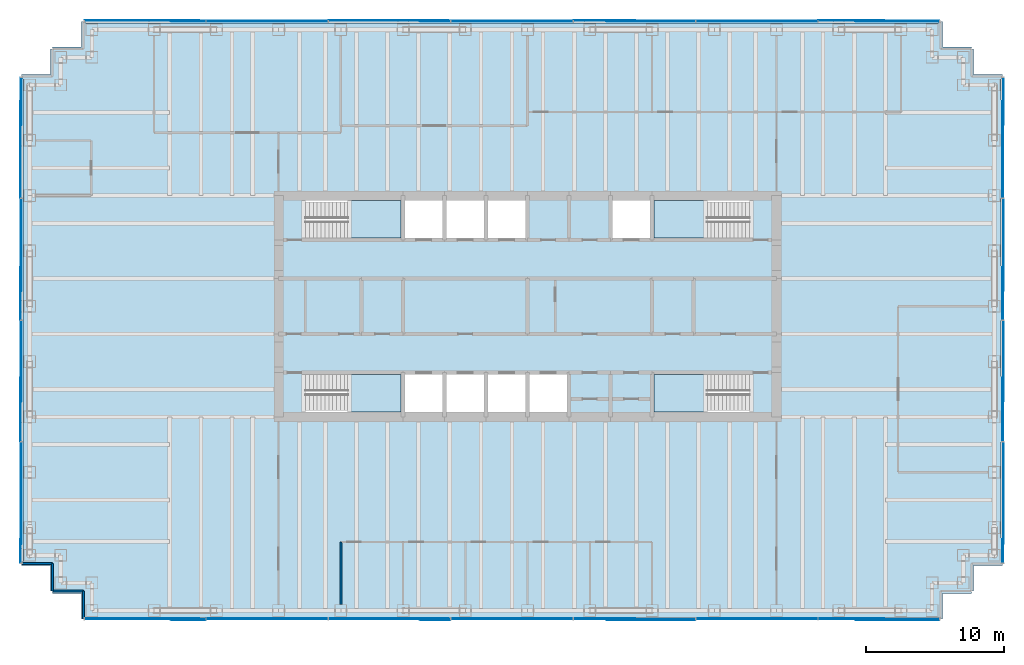
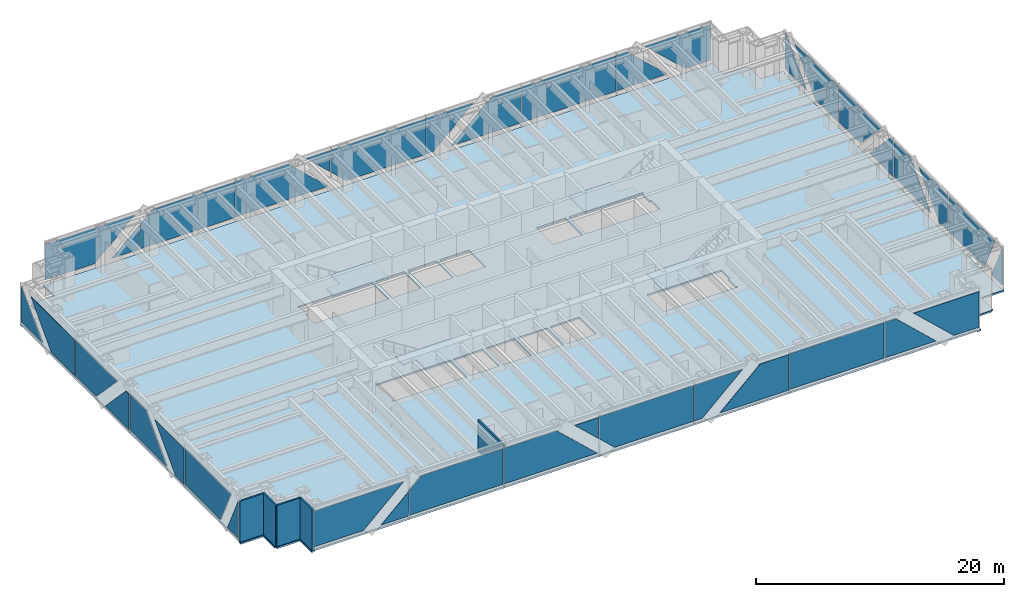
# One storey, part 10 of 15: 38 plates, 5 slabs, 5 walls, 8 elements without a shape of their own.
"""IFC4 building model written with IfcOpenShell, lengths in metres."""

import ifcopenshell
import ifcopenshell.guid

model = None  # the IFC model being written
_history = None  # IfcOwnerHistory: only IFC2X3 demands one
_inside = {}  # id of a spatial element -> (the spatial element, [elements in it])
_under = {}  # id of a project, library or spatial element -> (it, [spatial elements below it])
_declared = {}  # id of a project -> (the project, [libraries it declares])
_typed = {}  # id of a type object -> (the type object, [elements of that type])
_made_of = {}  # id of a material, layer set ... -> (it, [elements and type objects made of it])


def new_model(schema):
    """Start an empty IFC model of exactly this schema.

    Asked for "IFC4X3", IfcOpenShell would pick the latest addendum, in which some entities
    have other attributes; the version numbers below select the first issue.
    IFC2X3 requires an IfcOwnerHistory on every rooted entity: one is made here for all.
    """
    global model, _history
    if schema == "IFC4X3":
        model = ifcopenshell.file(schema_version=(4, 3, 0, 0))
    else:
        model = ifcopenshell.file(schema=schema)
    _inside.clear()
    _under.clear()
    _declared.clear()
    _typed.clear()
    _made_of.clear()
    _history = None
    if model.schema == "IFC2X3":
        org = make("IfcOrganization", Name="unknown")
        user = make(
            "IfcPersonAndOrganization",
            ThePerson=make("IfcPerson", FamilyName="unknown"),
            TheOrganization=org,
        )
        app = make(
            "IfcApplication",
            ApplicationDeveloper=org,
            Version="unknown",
            ApplicationFullName="unknown",
            ApplicationIdentifier="unknown",
        )
        _history = make(
            "IfcOwnerHistory",
            OwningUser=user,
            OwningApplication=app,
            ChangeAction="ADDED",
            CreationDate=0,
        )
    return model


def make(cls, **values):
    """One entity of the class cls with the attributes given. An attribute that is None is left unset."""
    return model.create_entity(
        cls, **{name: value for name, value in values.items() if value is not None}
    )


def rooted(cls, **values):
    """An entity with a GlobalId (a new one), such as an element, a storey or a relation."""
    return make(cls, GlobalId=ifcopenshell.guid.new(), OwnerHistory=_history, **values)


def si_unit(unit_type, name, prefix=None):
    """IfcSIUnit, for example si_unit("LENGTHUNIT", "METRE", prefix="MILLI")."""
    return make("IfcSIUnit", UnitType=unit_type, Prefix=prefix, Name=name)


def assignment(units):
    """IfcUnitAssignment: the units of a project."""
    return None if units is None else make("IfcUnitAssignment", Units=units)


def point(xyz):
    """IfcCartesianPoint."""
    return None if xyz is None else make("IfcCartesianPoint", Coordinates=xyz)


def direction(xyz):
    """IfcDirection."""
    return None if xyz is None else make("IfcDirection", DirectionRatios=xyz)


def frame(location, z_axis=None, x_axis=None):
    """IfcAxis2Placement3D, a coordinate frame: its origin and axes. An axis left out is left unset."""
    return make(
        "IfcAxis2Placement3D",
        Location=point(location),
        Axis=direction(z_axis),
        RefDirection=direction(x_axis),
    )


def frame_2d(location, x_axis=None):
    """IfcAxis2Placement2D, a coordinate frame in the plane: its origin and x axis."""
    return make(
        "IfcAxis2Placement2D", Location=point(location), RefDirection=direction(x_axis)
    )


def origin():
    """The frame at (0, 0, 0) with its axes left unset."""
    return frame((0.0, 0.0, 0.0))


def origin_2d():
    """The frame at (0, 0) in the plane with its x axis left unset."""
    return frame_2d((0.0, 0.0))


def place(relative_to, where):
    """IfcLocalPlacement: puts the frame where relative to a parent placement (None: the world)."""
    return make(
        "IfcLocalPlacement", PlacementRelTo=relative_to, RelativePlacement=where
    )


def context(
    kind, dimensions, precision=None, world=None, true_north=None, identifier=None
):
    """IfcGeometricRepresentationContext, for example the 3D "Model" context."""
    return make(
        "IfcGeometricRepresentationContext",
        ContextIdentifier=identifier,
        ContextType=kind,
        CoordinateSpaceDimension=dimensions,
        Precision=precision,
        WorldCoordinateSystem=world,
        TrueNorth=true_north,
    )


def subcontext(parent, identifier, kind, view, scale=None):
    """IfcGeometricRepresentationSubContext, for example "Body" below "Model"."""
    return make(
        "IfcGeometricRepresentationSubContext",
        ContextIdentifier=identifier,
        ContextType=kind,
        ParentContext=parent,
        TargetScale=scale,
        TargetView=view,
    )


def project(units=None, contexts=None):
    """IfcProject with its units and contexts."""
    return rooted(
        "IfcProject",
        Name="project",
        RepresentationContexts=contexts,
        UnitsInContext=assignment(units),
    )


def spatial(cls, under=None, at=None, **own):
    """A site, building, storey or space (cls), placed at a placement, below another one or the project."""
    s = rooted(cls, ObjectPlacement=at, **own)
    if under is not None:
        _under.setdefault(under.id(), (under, []))[1].append(s)
    return s


def polyline(points):
    """IfcPolyline through the points."""
    return make("IfcPolyline", Points=[point(p) for p in points])


def profile(cls, at=None, kind="AREA", **sizes):
    """A parametric profile (cls). Its sizes go by their IFC names, for example OverallWidth=200.0."""
    return make(cls, ProfileType=kind, Position=at, **sizes)


def rectangle(**sizes):
    """IfcRectangleProfileDef."""
    return profile("IfcRectangleProfileDef", **sizes)


def outline(outer, holes=None, kind="AREA"):
    """IfcArbitraryClosedProfileDef: a profile drawn as a closed curve; with holes, ...WithVoids."""
    if holes is None:
        return make("IfcArbitraryClosedProfileDef", ProfileType=kind, OuterCurve=outer)
    return make(
        "IfcArbitraryProfileDefWithVoids",
        ProfileType=kind,
        OuterCurve=outer,
        InnerCurves=holes,
    )


def extrude(swept, where, along, depth):
    """IfcExtrudedAreaSolid: the profile swept, set in the frame where, extruded along a direction by depth."""
    return make(
        "IfcExtrudedAreaSolid",
        SweptArea=swept,
        Position=where,
        ExtrudedDirection=direction(along),
        Depth=depth,
    )


def shape(context_of_items, identifier, shape_type, items):
    """IfcShapeRepresentation: the items that make up one representation, for example the "Body"."""
    return make(
        "IfcShapeRepresentation",
        ContextOfItems=context_of_items,
        RepresentationIdentifier=identifier,
        RepresentationType=shape_type,
        Items=items,
    )


def material(Name=None, Category=None):
    """IfcMaterial."""
    return make("IfcMaterial", Name=Name, Category=Category)


def layer(
    of_material, thickness, ventilated=None, Name=None, Category=None, Priority=None
):
    """IfcMaterialLayer: one layer of a wall or slab, of a material (None: an air gap)."""
    return make(
        "IfcMaterialLayer",
        Material=of_material,
        LayerThickness=thickness,
        IsVentilated=ventilated,
        Name=Name,
        Category=Category,
        Priority=Priority,
    )


def layer_set(layers, Name=None):
    """IfcMaterialLayerSet."""
    return make("IfcMaterialLayerSet", MaterialLayers=layers, LayerSetName=Name)


def made_of(thing, what):
    """Note that an element or type object is made of a material, layer set ...; save() writes the relation."""
    if what is not None:
        _made_of.setdefault(what.id(), (what, []))[1].append(thing)
    return thing


def type_object(cls, material=None, **own):
    """A type object (cls), such as IfcWallType, which elements share."""
    return made_of(rooted(cls, **own), material)


def element(
    cls,
    number,
    at=None,
    inside=None,
    cuts=None,
    type_object=None,
    material=None,
    context=None,
    identifier="Body",
    shape_type=None,
    held_by="IfcProductDefinitionShape",
    body=None,
    shapes=None,
    **own,
):
    """One element of the class cls, such as IfcWall. Its Tag is "e" and its number.

    at: its placement. inside: the storey or other place that contains it. cuts: it is an
    opening in that element (IfcRelVoidsElement). A single representation is given by context,
    identifier, shape_type and body (its items); several are given by shapes. held_by: the class
    of the entity that holds the representations. save() writes the other relations.
    """
    e = rooted(cls, Tag="e%d" % number, ObjectPlacement=at, **own)
    if body is not None:
        shapes = [shape(context, identifier, shape_type, body)]
    if shapes is not None:
        e.Representation = make(held_by, Representations=shapes)
    if inside is not None:
        _inside.setdefault(inside.id(), (inside, []))[1].append(e)
    if cuts is not None:
        rooted(
            "IfcRelVoidsElement", RelatingBuildingElement=cuts, RelatedOpeningElement=e
        )
    if type_object is not None:
        _typed.setdefault(type_object.id(), (type_object, []))[1].append(e)
    return made_of(e, material)


def aggregate(whole, parts):
    """IfcRelAggregates: a whole, such as a stair, and the parts it consists of."""
    return rooted("IfcRelAggregates", RelatingObject=whole, RelatedObjects=parts)


def save(model, path):
    """Write the relations noted so far, then the file.

    IfcRelAggregates (storeys below a building ...), IfcRelContainedInSpatialStructure (elements
    in a storey), IfcRelDefinesByType, IfcRelAssociatesMaterial and IfcRelDeclares: one each for
    every whole, place, type object, material and project.
    """
    for whole, parts in _under.values():
        aggregate(whole, parts)
    for where, things in _inside.values():
        rooted(
            "IfcRelContainedInSpatialStructure",
            RelatedElements=things,
            RelatingStructure=where,
        )
    for kind, things in _typed.values():
        rooted("IfcRelDefinesByType", RelatedObjects=things, RelatingType=kind)
    for what, things in _made_of.values():
        rooted("IfcRelAssociatesMaterial", RelatedObjects=things, RelatingMaterial=what)
    for by, libraries in _declared.values():
        rooted("IfcRelDeclares", RelatingContext=by, RelatedDefinitions=libraries)
    model.write(path)


model = new_model("IFC4")

# Units and contexts
model_context = context("Model", 3, precision=1e-05, world=origin(), true_north=direction((0.0, 1.0)))
body_context = subcontext(model_context, "Body", "Model", "MODEL_VIEW")
ifc_project = project(units=[si_unit("LENGTHUNIT", "METRE"), si_unit("AREAUNIT", "SQUARE_METRE"), si_unit("VOLUMEUNIT", "CUBIC_METRE"), si_unit("PLANEANGLEUNIT", "RADIAN"), si_unit("MASSUNIT", "GRAM", prefix="KILO")], contexts=[model_context])

# Site, building, storey
site_placement = place(None, origin())
site = spatial("IfcSite", under=ifc_project, at=site_placement, CompositionType="ELEMENT")
building_placement = place(site_placement, origin())
building = spatial("IfcBuilding", under=site, at=building_placement, Name="Rheinbord Bourse Tower", CompositionType="ELEMENT")
storey_placement = place(building_placement, frame((0.0, 0.0, 308.89990234375)))
storey = spatial("IfcBuildingStorey", under=building, at=storey_placement, Name="L70", CompositionType="ELEMENT", Elevation=308.89990234375)

# Slab
ifc_material_1 = material(Name="Concrete C30/37", Category="concrete")
ifc_layer_1 = layer(ifc_material_1, 0.159912109375)
ifc_layer_set_1 = layer_set([ifc_layer_1], Name="COMPOSITE FLOOR SLAB 160")
slab_type_1 = type_object("IfcSlabType", Name="COMPOSITE FLOOR SLAB 160", PredefinedType="FLOOR", material=ifc_layer_set_1)
slab_1_placement = place(storey_placement, frame((0.0, 0.0, -0.159912109375)))
element("IfcSlab", 1, at=slab_1_placement, inside=storey, type_object=slab_type_1, Name="Floor slab L70", PredefinedType="FLOOR", context=body_context, shape_type="SweptSolid", body=[
    extrude(outline(polyline([(1.64990234375, 3.39990234375), (1.5, 3.39990234375), (1.5, 5.25), (-0.60009765625, 5.25), (-0.60009765625, 5.550048828125), (-0.5, 5.550048828125), (-0.5, 40.449951171875), (-0.60009765625, 40.449951171875), (-0.60009765625, 40.75), (1.5, 40.75), (1.5, 42.60009765625), (1.64990234375, 42.60009765625), (1.64990234375, 42.75), (3.75, 42.75), (3.75, 44.60009765625), (4.050048828125, 44.60009765625), (4.050048828125, 44.5), (65.699951171875, 44.5), (65.699951171875, 44.60009765625), (66.0, 44.60009765625), (66.0, 42.75), (68.10009765625, 42.75), (68.10009765625, 42.60009765625), (68.25, 42.60009765625), (68.25, 40.75), (70.35009765625, 40.75), (70.35009765625, 40.449951171875), (70.25, 40.449951171875), (70.25, 5.550048828125), (70.35009765625, 5.550048828125), (70.35009765625, 5.25), (68.25, 5.25), (68.25, 3.39990234375), (68.10009765625, 3.39990234375), (68.10009765625, 3.25), (66.0, 3.25), (66.0, 1.39990234375), (65.699951171875, 1.39990234375), (65.699951171875, 1.5), (4.050048828125, 1.5), (4.050048828125, 1.39990234375), (3.75, 1.39990234375), (3.75, 3.25), (1.64990234375, 3.25), (1.64990234375, 3.39990234375)]), holes=[polyline([(19.949951171875, 19.050048828125), (26.85009765625, 19.050048828125), (26.85009765625, 16.35009765625), (19.949951171875, 16.35009765625), (19.949951171875, 16.449951171875), (20.10009765625, 16.449951171875), (20.10009765625, 17.64990234375), (19.949951171875, 17.64990234375), (19.949951171875, 19.050048828125)]), polyline([(19.949951171875, 31.64990234375), (26.85009765625, 31.64990234375), (26.85009765625, 28.949951171875), (19.949951171875, 28.949951171875), (19.949951171875, 30.35009765625), (20.10009765625, 30.35009765625), (20.10009765625, 31.550048828125), (19.949951171875, 31.550048828125), (19.949951171875, 31.64990234375)]), polyline([(52.050048828125, 16.35009765625), (45.14990234375, 16.35009765625), (45.14990234375, 19.050048828125), (52.050048828125, 19.050048828125), (52.050048828125, 17.64990234375), (51.89990234375, 17.64990234375), (51.89990234375, 16.449951171875), (52.050048828125, 16.449951171875), (52.050048828125, 16.35009765625)]), polyline([(52.050048828125, 28.949951171875), (45.14990234375, 28.949951171875), (45.14990234375, 31.64990234375), (52.050048828125, 31.64990234375), (52.050048828125, 31.550048828125), (51.89990234375, 31.550048828125), (51.89990234375, 30.35009765625), (52.050048828125, 30.35009765625), (52.050048828125, 28.949951171875)]), polyline([(27.14990234375, 16.35009765625), (27.14990234375, 19.050048828125), (29.85009765625, 19.050048828125), (29.85009765625, 16.35009765625), (27.14990234375, 16.35009765625)]), polyline([(27.14990234375, 28.949951171875), (27.14990234375, 31.64990234375), (29.85009765625, 31.64990234375), (29.85009765625, 28.949951171875), (27.14990234375, 28.949951171875)]), polyline([(30.14990234375, 16.35009765625), (30.14990234375, 19.050048828125), (32.85009765625, 19.050048828125), (32.85009765625, 16.35009765625), (30.14990234375, 16.35009765625)]), polyline([(30.14990234375, 28.949951171875), (30.14990234375, 31.64990234375), (32.85009765625, 31.64990234375), (32.85009765625, 28.949951171875), (30.14990234375, 28.949951171875)]), polyline([(33.14990234375, 16.35009765625), (33.14990234375, 19.050048828125), (35.85009765625, 19.050048828125), (35.85009765625, 16.35009765625), (33.14990234375, 16.35009765625)]), polyline([(33.14990234375, 28.949951171875), (33.14990234375, 31.64990234375), (35.85009765625, 31.64990234375), (35.85009765625, 28.949951171875), (33.14990234375, 28.949951171875)]), polyline([(36.14990234375, 16.35009765625), (36.14990234375, 19.050048828125), (38.85009765625, 19.050048828125), (38.85009765625, 16.35009765625), (36.14990234375, 16.35009765625)]), polyline([(42.14990234375, 28.949951171875), (42.14990234375, 31.64990234375), (44.85009765625, 31.64990234375), (44.85009765625, 28.949951171875), (42.14990234375, 28.949951171875)])]), origin(), (0.0, 0.0, 1.0), 0.159912109375),
])

# Curtain wall, plates
ifc_material_2 = material(Name="Dark glass and black aluminium", Category="aluminium")
curtain_wall_type = type_object("IfcCurtainWallType", Name="CW3 DARK GLASS CURTAIN WALL", PredefinedType="USERDEFINED", material=ifc_material_2)
curtain_wall_1_placement = place(storey_placement, origin())
curtain_wall_1 = element("IfcCurtainWall", 2, at=curtain_wall_1_placement, inside=storey, type_object=curtain_wall_type, Name="Curtain wall CW3 S L70", ObjectType="UNITISED CURTAIN WALL", PredefinedType="USERDEFINED")
ifc_material_3 = material(Name="Dark tinted triple insulating glass", Category="glass")
ifc_layer_2 = layer(ifc_material_3, 0.055908203125)
ifc_layer_set_2 = layer_set([ifc_layer_2], Name="CW3 DARK GLASS PANEL")
plate_type = type_object("IfcPlateType", Name="CW3 DARK GLASS PANEL", PredefinedType="CURTAIN_PANEL", material=ifc_layer_set_2)
plate_1_placement = place(storey_placement, frame((52.574951171875, 1.39990234375, 0.35009765625), z_axis=(0.0, 0.0, 1.0), x_axis=(1.0, 0.0, 0.0)))
plate_1 = element("IfcPlate", 3, at=plate_1_placement, type_object=plate_type, Name="CW3 panel 6.1", PredefinedType="CURTAIN_PANEL", context=body_context, shape_type="SweptSolid", body=[
    extrude(rectangle(XDim=8.784912109375, YDim=0.055908203125, at=origin_2d()), origin(), (0.0, 0.0, 1.0), 3.5),
])
plate_2_placement = place(storey_placement, frame((3.965087890625, 1.3720703125, 0.35009765625), z_axis=(0.0, 1.0, 0.0), x_axis=(0.0, 0.0, 1.0)))
plate_2 = element("IfcPlate", 4, at=plate_2_placement, type_object=plate_type, Name="CW3 glass facet 1", PredefinedType="CURTAIN_PANEL", context=body_context, shape_type="SweptSolid", body=[
    extrude(outline(polyline([(0.0, 0.0), (3.5, 0.0), (3.5, 8.347900390625), (0.0, 4.597900390625), (0.0, 0.0)])), origin(), (0.0, 0.0, 1.0), 0.055908203125),
])
plate_3_placement = place(storey_placement, frame((12.717041015625, 1.31103515625, 0.35009765625), z_axis=(0.0, 1.0, 0.0), x_axis=(-1.0, 0.0, 0.0)))
plate_3 = element("IfcPlate", 5, at=plate_3_placement, type_object=plate_type, Name="CW3 glass facet 2", PredefinedType="CURTAIN_PANEL", context=body_context, shape_type="SweptSolid", body=[
    extrude(outline(polyline([(0.0, 0.0), (2.530029296875, 0.0), (0.0, 2.362060546875), (0.0, 0.0)])), origin(), (0.0, 0.0, 1.0), 0.055908203125),
])
plate_4_placement = place(storey_placement, frame((21.56689453125, 1.3720703125, 3.85009765625), z_axis=(0.0, 1.0, 0.0), x_axis=(0.0, 0.0, -1.0)))
plate_4 = element("IfcPlate", 6, at=plate_4_placement, type_object=plate_type, Name="CW3 glass facet 1", PredefinedType="CURTAIN_PANEL", context=body_context, shape_type="SweptSolid", body=[
    extrude(outline(polyline([(0.0, 0.0), (3.5, 0.0), (3.5, 8.783935546875), (1.076904296875, 8.783935546875), (0.0, 7.6298828125), (0.0, 0.0)])), origin(), (0.0, 0.0, 1.0), 0.055908203125),
])
plate_5_placement = place(storey_placement, frame((21.633056640625, 1.3720703125, 0.35009765625), z_axis=(0.0, 1.0, 0.0), x_axis=(0.0, 0.0, 1.0)))
plate_5 = element("IfcPlate", 7, at=plate_5_placement, type_object=plate_type, Name="CW3 glass facet 1", PredefinedType="CURTAIN_PANEL", context=body_context, shape_type="SweptSolid", body=[
    extrude(outline(polyline([(0.0, 0.0), (3.5, 0.0), (3.5, 4.929931640625), (0.0, 8.679931640625), (0.0, 0.0)])), origin(), (0.0, 0.0, 1.0), 0.055908203125),
])
plate_6_placement = place(storey_placement, frame((30.4169921875, 1.31103515625, 3.85009765625), z_axis=(0.0, 1.0, 0.0), x_axis=(0.0, 0.0, -1.0)))
plate_6 = element("IfcPlate", 8, at=plate_6_placement, type_object=plate_type, Name="CW3 glass facet 2", PredefinedType="CURTAIN_PANEL", context=body_context, shape_type="SweptSolid", body=[
    extrude(outline(polyline([(0.0, 0.0), (2.08203125, 0.0), (0.0, 2.22998046875), (0.0, 0.0)])), origin(), (0.0, 0.0, 1.0), 0.055908203125),
])
plate_7_placement = place(storey_placement, frame((30.48193359375, 1.3720703125, 3.85009765625), z_axis=(0.0, 1.0, 0.0), x_axis=(1.0, 0.0, 0.0)))
plate_7 = element("IfcPlate", 9, at=plate_7_placement, type_object=plate_type, Name="CW3 glass facet 1", PredefinedType="CURTAIN_PANEL", context=body_context, shape_type="SweptSolid", body=[
    extrude(outline(polyline([(0.0, 0.0), (8.7861328125, 0.0), (8.7861328125, 3.5), (1.455078125, 3.5), (0.0, 2.14306640625), (0.0, 0.0)])), origin(), (0.0, 0.0, 1.0), 0.055908203125),
])
plate_8_placement = place(storey_placement, frame((39.3330078125, 1.3720703125, 0.35009765625), z_axis=(0.0, 1.0, 0.0), x_axis=(0.0, 0.0, 1.0)))
plate_8 = element("IfcPlate", 10, at=plate_8_placement, type_object=plate_type, Name="CW3 glass facet 1", PredefinedType="CURTAIN_PANEL", context=body_context, shape_type="SweptSolid", body=[
    extrude(outline(polyline([(0.0, 0.0), (3.5, 0.0), (3.5, 4.47998046875), (0.0, 0.72998046875), (0.0, 0.0)])), origin(), (0.0, 0.0, 1.0), 0.055908203125),
])
plate_9_placement = place(storey_placement, frame((48.116943359375, 1.31103515625, 3.85009765625), z_axis=(0.0, 1.0, 0.0), x_axis=(0.0, 0.0, -1.0)))
plate_9 = element("IfcPlate", 11, at=plate_9_placement, type_object=plate_type, Name="CW3 glass facet 2", PredefinedType="CURTAIN_PANEL", context=body_context, shape_type="SweptSolid", body=[
    extrude(outline(polyline([(0.0, 0.0), (3.5, 0.0), (3.5, 6.429931640625), (0.0, 2.679931640625), (0.0, 0.0)])), origin(), (0.0, 0.0, 1.0), 0.055908203125),
])
plate_10_placement = place(storey_placement, frame((57.031982421875, 1.3720703125, 0.35009765625), z_axis=(0.0, 1.0, 0.0), x_axis=(0.0, 0.0, 1.0)))
plate_10 = element("IfcPlate", 12, at=plate_10_placement, type_object=plate_type, Name="CW3 glass facet 1", PredefinedType="CURTAIN_PANEL", context=body_context, shape_type="SweptSolid", body=[
    extrude(outline(polyline([(0.0, 0.0), (3.5, 0.0), (3.5, 1.031005859375), (0.0, 4.781005859375), (0.0, 0.0)])), origin(), (0.0, 0.0, 1.0), 0.055908203125),
])
plate_11_placement = place(storey_placement, frame((65.784912109375, 1.31103515625, 3.85009765625), z_axis=(0.0, 1.0, 0.0), x_axis=(0.0, 0.0, -1.0)))
plate_11 = element("IfcPlate", 13, at=plate_11_placement, type_object=plate_type, Name="CW3 glass facet 2", PredefinedType="CURTAIN_PANEL", context=body_context, shape_type="SweptSolid", body=[
    extrude(outline(polyline([(0.0, 0.0), (3.5, 0.0), (3.5, 2.347900390625), (0.0, 6.097900390625), (0.0, 0.0)])), origin(), (0.0, 0.0, 1.0), 0.055908203125),
])
aggregate(curtain_wall_1, [plate_1, plate_2, plate_3, plate_4, plate_5, plate_6, plate_7, plate_8, plate_9, plate_10, plate_11])

curtain_wall_2_placement = place(storey_placement, origin())
curtain_wall_2 = element("IfcCurtainWall", 14, at=curtain_wall_2_placement, inside=storey, type_object=curtain_wall_type, Name="Curtain wall CW3 E L70", ObjectType="UNITISED CURTAIN WALL", PredefinedType="USERDEFINED")
plate_12_placement = place(storey_placement, frame((70.3779296875, 5.465087890625, 0.35009765625), z_axis=(-1.0, 0.0, 0.0), x_axis=(0.0, 0.0, 1.0)))
plate_12 = element("IfcPlate", 15, at=plate_12_placement, type_object=plate_type, Name="CW3 glass facet 1", PredefinedType="CURTAIN_PANEL", context=body_context, shape_type="SweptSolid", body=[
    extrude(outline(polyline([(0.0, 0.0), (3.5, 0.0), (3.5, 0.087890625), (0.0, 1.7548828125), (0.0, 0.0)])), origin(), (0.0, 0.0, 1.0), 0.055908203125),
])
plate_13_placement = place(storey_placement, frame((70.43896484375, 14.16796875, 3.85009765625), z_axis=(-1.0, 0.0, 0.0), x_axis=(0.0, 0.0, -1.0)))
plate_13 = element("IfcPlate", 16, at=plate_13_placement, type_object=plate_type, Name="CW3 glass facet 2", PredefinedType="CURTAIN_PANEL", context=body_context, shape_type="SweptSolid", body=[
    extrude(outline(polyline([(0.0, 0.0), (3.5, 0.0), (3.5, 5.720947265625), (0.0, 7.387939453125), (0.0, 0.0)])), origin(), (0.0, 0.0, 1.0), 0.055908203125),
])
plate_14_placement = place(storey_placement, frame((70.3779296875, 14.23193359375, 0.35009765625), z_axis=(-1.0, 0.0, 0.0), x_axis=(0.0, 0.0, 1.0)))
plate_14 = element("IfcPlate", 17, at=plate_14_placement, type_object=plate_type, Name="CW3 glass facet 1", PredefinedType="CURTAIN_PANEL", context=body_context, shape_type="SweptSolid", body=[
    extrude(outline(polyline([(0.0, 0.0), (3.5, 0.0), (3.5, 4.670166015625), (0.0, 1.336181640625), (0.0, 0.0)])), origin(), (0.0, 0.0, 1.0), 0.055908203125),
])
plate_15_placement = place(storey_placement, frame((70.43896484375, 22.968017578125, 3.85009765625), z_axis=(-1.0, 0.0, 0.0), x_axis=(0.0, 0.0, -1.0)))
plate_15 = element("IfcPlate", 18, at=plate_15_placement, type_object=plate_type, Name="CW3 glass facet 2", PredefinedType="CURTAIN_PANEL", context=body_context, shape_type="SweptSolid", body=[
    extrude(outline(polyline([(0.0, 0.0), (3.5, 0.0), (3.5, 5.8701171875), (0.0, 2.5361328125), (0.0, 0.0)])), origin(), (0.0, 0.0, 1.0), 0.055908203125),
])
plate_16_placement = place(storey_placement, frame((70.3779296875, 23.031982421875, 0.35009765625), z_axis=(-1.0, 0.0, 0.0), x_axis=(0.0, 0.0, 1.0)))
plate_16 = element("IfcPlate", 19, at=plate_16_placement, type_object=plate_type, Name="CW3 glass facet 1", PredefinedType="CURTAIN_PANEL", context=body_context, shape_type="SweptSolid", body=[
    extrude(outline(polyline([(0.0, 0.0), (3.5, 0.0), (3.5, 0.5361328125), (0.0, 3.8701171875), (0.0, 0.0)])), origin(), (0.0, 0.0, 1.0), 0.055908203125),
])
plate_17_placement = place(storey_placement, frame((70.43896484375, 31.76708984375, 3.85009765625), z_axis=(-1.0, 0.0, 0.0), x_axis=(0.0, 0.0, -1.0)))
plate_17 = element("IfcPlate", 20, at=plate_17_placement, type_object=plate_type, Name="CW3 glass facet 2", PredefinedType="CURTAIN_PANEL", context=body_context, shape_type="SweptSolid", body=[
    extrude(outline(polyline([(0.0, 0.0), (3.5, 0.0), (3.5, 3.335205078125), (0.0, 6.669189453125), (0.0, 0.0)])), origin(), (0.0, 0.0, 1.0), 0.055908203125),
])
plate_18_placement = place(storey_placement, frame((70.3779296875, 31.8330078125, 0.35009765625), z_axis=(-1.0, 0.0, 0.0), x_axis=(0.0, 0.0, 1.0)))
plate_18 = element("IfcPlate", 21, at=plate_18_placement, type_object=plate_type, Name="CW3 glass facet 1", PredefinedType="CURTAIN_PANEL", context=body_context, shape_type="SweptSolid", body=[
    extrude(outline(polyline([(0.0, 0.0), (3.5, 0.0), (3.5, 7.069091796875), (0.0, 3.735107421875), (0.0, 0.0)])), origin(), (0.0, 0.0, 1.0), 0.055908203125),
])
plate_19_placement = place(storey_placement, frame((70.43896484375, 40.534912109375, 3.85009765625), z_axis=(-1.0, 0.0, 0.0), x_axis=(0.0, 0.0, -1.0)))
plate_19 = element("IfcPlate", 22, at=plate_19_placement, type_object=plate_type, Name="CW3 glass facet 2", PredefinedType="CURTAIN_PANEL", context=body_context, shape_type="SweptSolid", body=[
    extrude(outline(polyline([(0.0, 0.0), (3.5, 0.0), (3.5, 3.43701171875), (0.0, 0.10302734375), (0.0, 0.0)])), origin(), (0.0, 0.0, 1.0), 0.055908203125),
])
aggregate(curtain_wall_2, [plate_12, plate_13, plate_14, plate_15, plate_16, plate_17, plate_18, plate_19])

curtain_wall_3_placement = place(storey_placement, origin())
curtain_wall_3 = element("IfcCurtainWall", 23, at=curtain_wall_3_placement, inside=storey, type_object=curtain_wall_type, Name="Curtain wall CW3 N L70", ObjectType="UNITISED CURTAIN WALL", PredefinedType="USERDEFINED")
plate_20_placement = place(storey_placement, frame((52.574951171875, 44.60009765625, 0.35009765625), z_axis=(0.0, 0.0, 1.0), x_axis=(-1.0, 0.0, 0.0)))
plate_20 = element("IfcPlate", 24, at=plate_20_placement, type_object=plate_type, Name="CW3 panel 2.1", PredefinedType="CURTAIN_PANEL", context=body_context, shape_type="SweptSolid", body=[
    extrude(rectangle(XDim=8.784912109375, YDim=0.055908203125, at=origin_2d()), origin(), (0.0, 0.0, 1.0), 3.5),
])
plate_21_placement = place(storey_placement, frame((65.784912109375, 44.6279296875, 0.35009765625), z_axis=(0.0, -1.0, 0.0), x_axis=(0.0, 0.0, 1.0)))
plate_21 = element("IfcPlate", 25, at=plate_21_placement, type_object=plate_type, Name="CW3 glass facet 1", PredefinedType="CURTAIN_PANEL", context=body_context, shape_type="SweptSolid", body=[
    extrude(outline(polyline([(0.0, 0.0), (3.5, 0.0), (3.5, 6.097900390625), (0.0, 2.347900390625), (0.0, 0.0)])), origin(), (0.0, 0.0, 1.0), 0.055908203125),
])
plate_22_placement = place(storey_placement, frame((57.031982421875, 44.68896484375, 3.85009765625), z_axis=(0.0, -1.0, 0.0), x_axis=(0.0, 0.0, -1.0)))
plate_22 = element("IfcPlate", 26, at=plate_22_placement, type_object=plate_type, Name="CW3 glass facet 2", PredefinedType="CURTAIN_PANEL", context=body_context, shape_type="SweptSolid", body=[
    extrude(outline(polyline([(0.0, 0.0), (3.5, 0.0), (3.5, 4.781005859375), (0.0, 1.031005859375), (0.0, 0.0)])), origin(), (0.0, 0.0, 1.0), 0.055908203125),
])
plate_23_placement = place(storey_placement, frame((48.116943359375, 44.6279296875, 0.35009765625), z_axis=(0.0, -1.0, 0.0), x_axis=(0.0, 0.0, 1.0)))
plate_23 = element("IfcPlate", 27, at=plate_23_placement, type_object=plate_type, Name="CW3 glass facet 1", PredefinedType="CURTAIN_PANEL", context=body_context, shape_type="SweptSolid", body=[
    extrude(outline(polyline([(0.0, 0.0), (3.5, 0.0), (3.5, 2.679931640625), (0.0, 6.429931640625), (0.0, 0.0)])), origin(), (0.0, 0.0, 1.0), 0.055908203125),
])
plate_24_placement = place(storey_placement, frame((39.33203125, 44.68896484375, 3.85009765625), z_axis=(0.0, -1.0, 0.0), x_axis=(0.0, 0.0, -1.0)))
plate_24 = element("IfcPlate", 28, at=plate_24_placement, type_object=plate_type, Name="CW3 glass facet 2", PredefinedType="CURTAIN_PANEL", context=body_context, shape_type="SweptSolid", body=[
    extrude(outline(polyline([(0.0, 0.0), (3.5, 0.0), (3.5, 0.73095703125), (0.0, 4.48095703125), (0.0, 0.0)])), origin(), (0.0, 0.0, 1.0), 0.055908203125),
])
plate_25_placement = place(storey_placement, frame((39.26708984375, 44.6279296875, 0.35009765625), z_axis=(0.0, -1.0, 0.0), x_axis=(0.0, 0.0, 1.0)))
plate_25 = element("IfcPlate", 29, at=plate_25_placement, type_object=plate_type, Name="CW3 glass facet 1", PredefinedType="CURTAIN_PANEL", context=body_context, shape_type="SweptSolid", body=[
    extrude(outline(polyline([(0.0, 0.0), (3.5, 0.0), (3.5, 8.7841796875), (1.35693359375, 8.7841796875), (0.0, 7.330078125), (0.0, 0.0)])), origin(), (0.0, 0.0, 1.0), 0.055908203125),
])
plate_26_placement = place(storey_placement, frame((30.4169921875, 44.6279296875, 3.85009765625), z_axis=(0.0, -1.0, 0.0), x_axis=(-1.0, 0.0, 0.0)))
plate_26 = element("IfcPlate", 30, at=plate_26_placement, type_object=plate_type, Name="CW3 glass facet 1", PredefinedType="CURTAIN_PANEL", context=body_context, shape_type="SweptSolid", body=[
    extrude(outline(polyline([(0.0, 0.0), (2.22998046875, 0.0), (0.0, 2.08203125), (0.0, 0.0)])), origin(), (0.0, 0.0, 1.0), 0.055908203125),
])
plate_27_placement = place(storey_placement, frame((21.632080078125, 44.68896484375, 3.85009765625), z_axis=(0.0, -1.0, 0.0), x_axis=(0.0, 0.0, -1.0)))
plate_27 = element("IfcPlate", 31, at=plate_27_placement, type_object=plate_type, Name="CW3 glass facet 2", PredefinedType="CURTAIN_PANEL", context=body_context, shape_type="SweptSolid", body=[
    extrude(outline(polyline([(0.0, 0.0), (3.5, 0.0), (3.5, 8.680908203125), (0.0, 4.930908203125), (0.0, 0.0)])), origin(), (0.0, 0.0, 1.0), 0.055908203125),
])
plate_28_placement = place(storey_placement, frame((12.781982421875, 44.6279296875, 0.35009765625), z_axis=(0.0, -1.0, 0.0), x_axis=(1.0, 0.0, 0.0)))
plate_28 = element("IfcPlate", 32, at=plate_28_placement, type_object=plate_type, Name="CW3 glass facet 1", PredefinedType="CURTAIN_PANEL", context=body_context, shape_type="SweptSolid", body=[
    extrude(outline(polyline([(0.0, 0.0), (8.784912109375, 0.0), (8.784912109375, 3.5), (1.155029296875, 3.5), (0.0, 2.423095703125), (0.0, 0.0)])), origin(), (0.0, 0.0, 1.0), 0.055908203125),
])
plate_29_placement = place(storey_placement, frame((12.718017578125, 44.6279296875, 0.35009765625), z_axis=(0.0, -1.0, 0.0), x_axis=(0.0, 0.0, 1.0)))
plate_29 = element("IfcPlate", 33, at=plate_29_placement, type_object=plate_type, Name="CW3 glass facet 1", PredefinedType="CURTAIN_PANEL", context=body_context, shape_type="SweptSolid", body=[
    extrude(outline(polyline([(0.0, 0.0), (2.362060546875, 0.0), (0.0, 2.531005859375), (0.0, 0.0)])), origin(), (0.0, 0.0, 1.0), 0.055908203125),
])
plate_30_placement = place(storey_placement, frame((3.965087890625, 44.68896484375, 3.85009765625), z_axis=(0.0, -1.0, 0.0), x_axis=(0.0, 0.0, -1.0)))
plate_30 = element("IfcPlate", 34, at=plate_30_placement, type_object=plate_type, Name="CW3 glass facet 2", PredefinedType="CURTAIN_PANEL", context=body_context, shape_type="SweptSolid", body=[
    extrude(outline(polyline([(0.0, 0.0), (3.5, 0.0), (3.5, 4.597900390625), (0.0, 8.347900390625), (0.0, 0.0)])), origin(), (0.0, 0.0, 1.0), 0.055908203125),
])
aggregate(curtain_wall_3, [plate_20, plate_21, plate_22, plate_23, plate_24, plate_25, plate_26, plate_27, plate_28, plate_29, plate_30])

curtain_wall_4_placement = place(storey_placement, origin())
curtain_wall_4 = element("IfcCurtainWall", 35, at=curtain_wall_4_placement, inside=storey, type_object=curtain_wall_type, Name="Curtain wall CW3 W L70", ObjectType="UNITISED CURTAIN WALL", PredefinedType="USERDEFINED")
plate_31_placement = place(storey_placement, frame((-0.6279296875, 40.534912109375, 0.35009765625), z_axis=(1.0, 0.0, 0.0), x_axis=(0.0, 0.0, 1.0)))
plate_31 = element("IfcPlate", 36, at=plate_31_placement, type_object=plate_type, Name="CW3 glass facet 1", PredefinedType="CURTAIN_PANEL", context=body_context, shape_type="SweptSolid", body=[
    extrude(outline(polyline([(0.0, 0.0), (3.5, 0.0), (3.5, 0.10302734375), (0.0, 3.43701171875), (0.0, 0.0)])), origin(), (0.0, 0.0, 1.0), 0.055908203125),
])
plate_32_placement = place(storey_placement, frame((-0.68896484375, 31.8330078125, 3.85009765625), z_axis=(1.0, 0.0, 0.0), x_axis=(0.0, 0.0, -1.0)))
plate_32 = element("IfcPlate", 37, at=plate_32_placement, type_object=plate_type, Name="CW3 glass facet 2", PredefinedType="CURTAIN_PANEL", context=body_context, shape_type="SweptSolid", body=[
    extrude(outline(polyline([(0.0, 0.0), (3.5, 0.0), (3.5, 3.735107421875), (0.0, 7.069091796875), (0.0, 0.0)])), origin(), (0.0, 0.0, 1.0), 0.055908203125),
])
plate_33_placement = place(storey_placement, frame((-0.6279296875, 31.76708984375, 0.35009765625), z_axis=(1.0, 0.0, 0.0), x_axis=(0.0, 0.0, 1.0)))
plate_33 = element("IfcPlate", 38, at=plate_33_placement, type_object=plate_type, Name="CW3 glass facet 1", PredefinedType="CURTAIN_PANEL", context=body_context, shape_type="SweptSolid", body=[
    extrude(outline(polyline([(0.0, 0.0), (3.5, 0.0), (3.5, 6.669189453125), (0.0, 3.335205078125), (0.0, 0.0)])), origin(), (0.0, 0.0, 1.0), 0.055908203125),
])
plate_34_placement = place(storey_placement, frame((-0.68896484375, 23.031982421875, 3.85009765625), z_axis=(1.0, 0.0, 0.0), x_axis=(0.0, 0.0, -1.0)))
plate_34 = element("IfcPlate", 39, at=plate_34_placement, type_object=plate_type, Name="CW3 glass facet 2", PredefinedType="CURTAIN_PANEL", context=body_context, shape_type="SweptSolid", body=[
    extrude(outline(polyline([(0.0, 0.0), (3.5, 0.0), (3.5, 3.8701171875), (0.0, 0.5361328125), (0.0, 0.0)])), origin(), (0.0, 0.0, 1.0), 0.055908203125),
])
plate_35_placement = place(storey_placement, frame((-0.6279296875, 22.968017578125, 0.35009765625), z_axis=(1.0, 0.0, 0.0), x_axis=(0.0, 0.0, 1.0)))
plate_35 = element("IfcPlate", 40, at=plate_35_placement, type_object=plate_type, Name="CW3 glass facet 1", PredefinedType="CURTAIN_PANEL", context=body_context, shape_type="SweptSolid", body=[
    extrude(outline(polyline([(0.0, 0.0), (3.5, 0.0), (3.5, 2.5361328125), (0.0, 5.8701171875), (0.0, 0.0)])), origin(), (0.0, 0.0, 1.0), 0.055908203125),
])
plate_36_placement = place(storey_placement, frame((-0.68896484375, 14.23291015625, 3.85009765625), z_axis=(1.0, 0.0, 0.0), x_axis=(0.0, 0.0, -1.0)))
plate_36 = element("IfcPlate", 41, at=plate_36_placement, type_object=plate_type, Name="CW3 glass facet 2", PredefinedType="CURTAIN_PANEL", context=body_context, shape_type="SweptSolid", body=[
    extrude(outline(polyline([(0.0, 0.0), (3.5, 0.0), (3.5, 1.335205078125), (0.0, 4.669189453125), (0.0, 0.0)])), origin(), (0.0, 0.0, 1.0), 0.055908203125),
])
plate_37_placement = place(storey_placement, frame((-0.6279296875, 14.1669921875, 0.35009765625), z_axis=(1.0, 0.0, 0.0), x_axis=(0.0, 0.0, 1.0)))
plate_37 = element("IfcPlate", 42, at=plate_37_placement, type_object=plate_type, Name="CW3 glass facet 1", PredefinedType="CURTAIN_PANEL", context=body_context, shape_type="SweptSolid", body=[
    extrude(outline(polyline([(0.0, 0.0), (3.5, 0.0), (3.5, 7.386962890625), (0.0, 5.719970703125), (0.0, 0.0)])), origin(), (0.0, 0.0, 1.0), 0.055908203125),
])
plate_38_placement = place(storey_placement, frame((-0.68896484375, 5.465087890625, 3.85009765625), z_axis=(1.0, 0.0, 0.0), x_axis=(0.0, 0.0, -1.0)))
plate_38 = element("IfcPlate", 43, at=plate_38_placement, type_object=plate_type, Name="CW3 glass facet 2", PredefinedType="CURTAIN_PANEL", context=body_context, shape_type="SweptSolid", body=[
    extrude(outline(polyline([(0.0, 0.0), (3.5, 0.0), (3.5, 1.7548828125), (0.0, 0.087890625), (0.0, 0.0)])), origin(), (0.0, 0.0, 1.0), 0.055908203125),
])
aggregate(curtain_wall_4, [plate_31, plate_32, plate_33, plate_34, plate_35, plate_36, plate_37, plate_38])

# Stair, slab
ifc_material_4 = material(Name="Concrete C30/37", Category="concrete")
stair_type = type_object("IfcStairType", Name="CORE STAIR HALF TURN 4200", PredefinedType="HALF_TURN_STAIR", material=ifc_material_4)
stair_1_placement = place(storey_placement, origin())
stair_1 = element("IfcStair", 44, at=stair_1_placement, inside=storey, type_object=stair_type, Name="Stair ST1 L70, type CS6", PredefinedType="HALF_TURN_STAIR")
ifc_material_5 = material(Name="Concrete C30/37", Category="concrete")
ifc_layer_3 = layer(ifc_material_5, 0.199951171875)
ifc_layer_set_3 = layer_set([ifc_layer_3], Name="STAIR LANDING 200")
slab_type_2 = type_object("IfcSlabType", Name="STAIR LANDING 200", PredefinedType="LANDING", material=ifc_layer_set_3)
slab_2_placement = place(storey_placement, frame((0.0, 0.0, 1.900146484375)))
slab_2 = element("IfcSlab", 45, at=slab_2_placement, type_object=slab_type_2, Name="Half landing ST1 L70", PredefinedType="LANDING", context=body_context, shape_type="SweptSolid", body=[
    extrude(outline(polyline([(23.030029296875, 16.35009765625), (26.85009765625, 16.35009765625), (26.85009765625, 19.050048828125), (21.748046875, 19.050048828125), (21.748046875, 17.85009765625), (23.030029296875, 17.85009765625), (23.030029296875, 16.35009765625)])), origin(), (0.0, 0.0, 1.0), 0.199951171875),
])
aggregate(stair_1, [slab_2])

stair_2_placement = place(storey_placement, origin())
stair_2 = element("IfcStair", 46, at=stair_2_placement, inside=storey, type_object=stair_type, Name="Stair ST2 L70, type CS6", PredefinedType="HALF_TURN_STAIR")
slab_3_placement = place(storey_placement, frame((0.0, 0.0, 1.900146484375)))
slab_3 = element("IfcSlab", 47, at=slab_3_placement, type_object=slab_type_2, Name="Half landing ST2 L70", PredefinedType="LANDING", context=body_context, shape_type="SweptSolid", body=[
    extrude(outline(polyline([(21.748046875, 28.949951171875), (26.85009765625, 28.949951171875), (26.85009765625, 31.64990234375), (23.030029296875, 31.64990234375), (23.030029296875, 30.14990234375), (21.748046875, 30.14990234375), (21.748046875, 28.949951171875)])), origin(), (0.0, 0.0, 1.0), 0.199951171875),
])
aggregate(stair_2, [slab_3])

stair_3_placement = place(storey_placement, origin())
stair_3 = element("IfcStair", 48, at=stair_3_placement, inside=storey, type_object=stair_type, Name="Stair ST3 L70, type CS6", PredefinedType="HALF_TURN_STAIR")
slab_4_placement = place(storey_placement, frame((0.0, 0.0, 1.900146484375)))
slab_4 = element("IfcSlab", 49, at=slab_4_placement, type_object=slab_type_2, Name="Half landing ST3 L70", PredefinedType="LANDING", context=body_context, shape_type="SweptSolid", body=[
    extrude(outline(polyline([(45.14990234375, 16.35009765625), (48.969970703125, 16.35009765625), (48.969970703125, 17.85009765625), (50.251953125, 17.85009765625), (50.251953125, 19.050048828125), (45.14990234375, 19.050048828125), (45.14990234375, 16.35009765625)])), origin(), (0.0, 0.0, 1.0), 0.199951171875),
])
aggregate(stair_3, [slab_4])

stair_4_placement = place(storey_placement, origin())
stair_4 = element("IfcStair", 50, at=stair_4_placement, inside=storey, type_object=stair_type, Name="Stair ST4 L70, type CS6", PredefinedType="HALF_TURN_STAIR")
slab_5_placement = place(storey_placement, frame((0.0, 0.0, 1.900146484375)))
slab_5 = element("IfcSlab", 51, at=slab_5_placement, type_object=slab_type_2, Name="Half landing ST4 L70", PredefinedType="LANDING", context=body_context, shape_type="SweptSolid", body=[
    extrude(outline(polyline([(45.14990234375, 28.949951171875), (50.251953125, 28.949951171875), (50.251953125, 30.14990234375), (48.969970703125, 30.14990234375), (48.969970703125, 31.64990234375), (45.14990234375, 31.64990234375), (45.14990234375, 28.949951171875)])), origin(), (0.0, 0.0, 1.0), 0.199951171875),
])
aggregate(stair_4, [slab_5])

# Walls
ifc_material_6 = material(Name="Black metal rainscreen panel", Category="aluminium")
ifc_layer_4 = layer(ifc_material_6, 0.14990234375)
ifc_layer_set_4 = layer_set([ifc_layer_4], Name="CORNER PIER CLADDING 150")
wall_type_1 = type_object("IfcWallType", Name="CORNER PIER CLADDING 150", PredefinedType="ELEMENTEDWALL", material=ifc_layer_set_4)
wall_1_placement = place(storey_placement, frame((-0.60009765625, 5.39990234375, 0.0), z_axis=(0.0, 0.0, 1.0), x_axis=(1.0, 0.0, 0.0)))
element("IfcWall", 52, at=wall_1_placement, inside=storey, type_object=wall_type_1, Name="Corner pier cladding L70 17", PredefinedType="ELEMENTEDWALL", context=body_context, shape_type="SweptSolid", body=[
    extrude(rectangle(XDim=2.25, YDim=0.14990234375, at=frame_2d((1.125, 0.0))), origin(), (0.0, 0.0, 1.0), 4.0400390625),
])
wall_2_placement = place(storey_placement, frame((1.64990234375, 5.39990234375, 0.0), z_axis=(0.0, 0.0, 1.0), x_axis=(0.0, -1.0, 0.0)))
element("IfcWall", 53, at=wall_2_placement, inside=storey, type_object=wall_type_1, Name="Corner pier cladding L70 18", PredefinedType="ELEMENTEDWALL", context=body_context, shape_type="SweptSolid", body=[
    extrude(rectangle(XDim=2.0, YDim=0.14990234375, at=frame_2d((1.0, 0.0))), origin(), (0.0, 0.0, 1.0), 4.0400390625),
])
wall_3_placement = place(storey_placement, frame((1.64990234375, 3.39990234375, 0.0), z_axis=(0.0, 0.0, 1.0), x_axis=(1.0, 0.0, 0.0)))
element("IfcWall", 54, at=wall_3_placement, inside=storey, type_object=wall_type_1, Name="Corner pier cladding L70 19", PredefinedType="ELEMENTEDWALL", context=body_context, shape_type="SweptSolid", body=[
    extrude(rectangle(XDim=2.25, YDim=0.14990234375, at=frame_2d((1.125, 0.0))), origin(), (0.0, 0.0, 1.0), 4.0400390625),
])
wall_4_placement = place(storey_placement, frame((3.89990234375, 3.39990234375, 0.0), z_axis=(0.0, 0.0, 1.0), x_axis=(0.0, -1.0, 0.0)))
element("IfcWall", 55, at=wall_4_placement, inside=storey, type_object=wall_type_1, Name="Corner pier cladding L70 20", PredefinedType="ELEMENTEDWALL", context=body_context, shape_type="SweptSolid", body=[
    extrude(rectangle(XDim=2.0, YDim=0.14990234375, at=frame_2d((1.0, 0.0))), origin(), (0.0, 0.0, 1.0), 4.0400390625),
])
ifc_material_7 = material(Name="Gypsum board partition", Category="gypsum board")
ifc_layer_5 = layer(ifc_material_7, 0.14990234375)
ifc_layer_set_5 = layer_set([ifc_layer_5], Name="PARTITION 150")
wall_type_2 = type_object("IfcWallType", Name="PARTITION 150", PredefinedType="PARTITIONING", material=ifc_layer_set_5)
wall_5_placement = place(storey_placement, frame((22.5, 2.449951171875, 0.0), z_axis=(0.0, 0.0, 1.0), x_axis=(0.0, 1.0, 0.0)))
element("IfcWall", 56, at=wall_5_placement, inside=storey, type_object=wall_type_2, Name="Partition L70-13", PredefinedType="PARTITIONING", context=body_context, shape_type="SweptSolid", body=[
    extrude(rectangle(XDim=4.5, YDim=0.14990234375, at=frame_2d((2.25, 0.0))), origin(), (0.0, 0.0, 1.0), 3.0),
])

save(model, "model.ifc")
